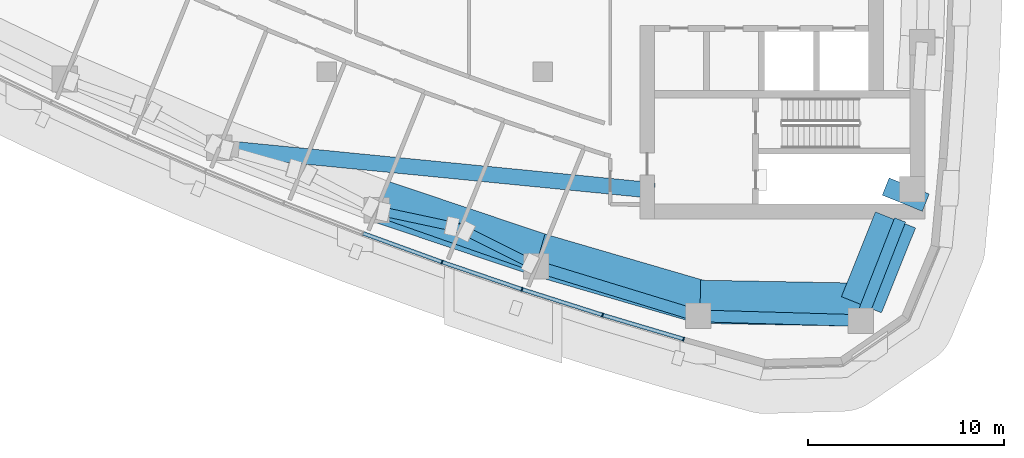
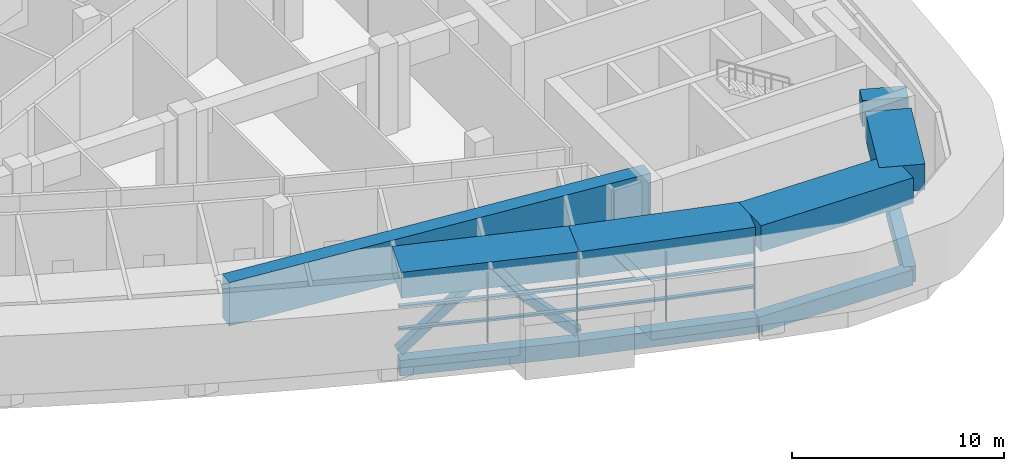
# One storey, part 4 of 17: 14 members, 10 beams, 2 elements without a shape of their own.
"""IFC4 building model written with IfcOpenShell, lengths in metres."""

from ifc_helpers import new_model, si_unit, direction, frame, origin, origin_2d, place, context, subcontext, project, spatial, rectangle, hollow_rectangle, extrude, material, layer, layer_set, material_profile, profile_set, type_object, element, aggregate, save


model = new_model("IFC4")

# Units and contexts
model_context = context("Model", 3, precision=1e-05, world=origin(), true_north=direction((0.0, 1.0)))
body_context = subcontext(model_context, "Body", "Model", "MODEL_VIEW")
ifc_project = project(units=[si_unit("LENGTHUNIT", "METRE"), si_unit("AREAUNIT", "SQUARE_METRE"), si_unit("VOLUMEUNIT", "CUBIC_METRE"), si_unit("PLANEANGLEUNIT", "RADIAN"), si_unit("MASSUNIT", "GRAM", prefix="KILO")], contexts=[model_context])

# Site, building, storey
site_placement = place(None, origin())
site = spatial("IfcSite", under=ifc_project, at=site_placement, CompositionType="ELEMENT")
building_placement = place(site_placement, origin())
building = spatial("IfcBuilding", under=site, at=building_placement, Name="Ostrand Prow Hotel Tower", CompositionType="ELEMENT")
storey_placement = place(building_placement, frame((0.0, 0.0, 211.0)))
storey = spatial("IfcBuildingStorey", under=building, at=storey_placement, Name="L53", CompositionType="ELEMENT", Elevation=211.0)

# Members
ifc_material_1 = material(Name="Steel S355", Category="steel")
ifc_material_profile_1 = material_profile(ifc_material_1, hollow_rectangle(XDim=0.45703125, YDim=0.45703125, WallThickness=0.025390625, at=origin_2d()), Name="HSS457x457x25.4")
ifc_profile_set_1 = profile_set([ifc_material_profile_1], Name="Steel S355")
member_type_1 = type_object("IfcMemberType", Name="Belt brace HSS457x457x25.4", PredefinedType="BRACE", material=ifc_profile_set_1)
member_1_placement = place(storey_placement, frame((36.547119140625, -16.060791015625, 0.0), z_axis=(0.737718452306, -0.157374237624, 0.656509584439), x_axis=(0.208631245637, 0.977994377972, 0.0)))
element("IfcMember", 1, at=member_1_placement, inside=storey, type_object=member_type_1, Name="Belt brace 05", PredefinedType="BRACE", context=body_context, shape_type="SweptSolid", body=[
    extrude(hollow_rectangle(XDim=0.45703125, YDim=0.45703125, WallThickness=0.025390625, at=origin_2d()), origin(), (0.0, 0.0, 1.0), 5.7119140625),
])
member_2_placement = place(storey_placement, frame((44.6826171875, -18.91552734375, 0.0), z_axis=(-0.679924440852, 0.339094483948, 0.650167428966), x_axis=(-0.446299704061, -0.894883553405, 0.0)))
element("IfcMember", 2, at=member_2_placement, inside=storey, type_object=member_type_1, Name="Belt brace 06", PredefinedType="BRACE", context=body_context, shape_type="SweptSolid", body=[
    extrude(hollow_rectangle(XDim=0.45703125, YDim=0.45703125, WallThickness=0.025390625, at=origin_2d()), origin(), (0.0, 0.0, 1.0), 5.767822265625),
])

# Beams
ifc_material_2 = material(Name="Concrete C60/75", Category="concrete")
ifc_material_profile_2 = material_profile(ifc_material_2, rectangle(XDim=2.199951171875, YDim=1.5, at=origin_2d()), Name="RC 2200x1500")
ifc_profile_set_2 = profile_set([ifc_material_profile_2], Name="Concrete C60/75")
beam_type_1 = type_object("IfcBeamType", Name="Belt girder 2200x1500 C60/75", PredefinedType="BEAM", material=ifc_profile_set_2)
for number, where, z_axis, x_axis, name in (
    (3, (36.707275390625, -15.59619140625, 4.14990234375), (0.947809184917, -0.318838123485, 0.0), (0.318838123485, 0.947809184917, 0.0), "Belt girder S4-S5"),
    (4, (44.814697265625, -18.323486328125, 4.14990234375), (0.959993926139, -0.280020823825, 0.0), (0.280020823825, 0.959993926139, 0.0), "Belt girder S5-S6"),
):
    element("IfcBeam", number, at=place(storey_placement, frame(where, z_axis=z_axis, x_axis=x_axis)), inside=storey, type_object=beam_type_1, Name=name, PredefinedType="BEAM", context=body_context, shape_type="SweptSolid", body=[
        extrude(rectangle(XDim=2.199951171875, YDim=1.5, at=origin_2d()), origin(), (0.0, 0.0, 1.0), 8.553955078125),
    ])
beam_1_placement = place(storey_placement, frame((53.0263671875, -20.71875, 4.14990234375), z_axis=(0.999829186978, -0.018482339346, 0.0), x_axis=(0.018482339346, 0.999829186978, 0.0)))
element("IfcBeam", 5, at=beam_1_placement, inside=storey, type_object=beam_type_1, Name="Belt girder S6-SE", PredefinedType="BEAM", context=body_context, shape_type="SweptSolid", body=[
    extrude(rectangle(XDim=2.199951171875, YDim=1.5, at=origin_2d()), origin(), (0.0, 0.0, 1.0), 8.21630859375),
])
beam_2_placement = place(storey_placement, frame((61.2412109375, -20.87060546875, 4.14990234375), z_axis=(0.372529597869, 0.928020311583, 0.0), x_axis=(-0.928020311583, 0.372529597869, 0.0)))
element("IfcBeam", 6, at=beam_2_placement, inside=storey, type_object=beam_type_1, Name="Belt girder SE-B1", PredefinedType="BEAM", context=body_context, shape_type="SweptSolid", body=[
    extrude(rectangle(XDim=2.199951171875, YDim=1.5, at=origin_2d()), origin(), (0.0, 0.0, 1.0), 4.65576171875),
])
beam_3_placement = place(storey_placement, frame((63.316650390625, -15.699951171875, 4.14990234375), z_axis=(0.372500019662, 0.928032184438, 0.0), x_axis=(-0.928032184438, 0.372500019662, 0.0)))
element("IfcBeam", 7, at=beam_3_placement, inside=storey, type_object=beam_type_1, Name="Belt girder SE-B1", PredefinedType="BEAM", context=body_context, shape_type="SweptSolid", body=[
    extrude(rectangle(XDim=2.199951171875, YDim=1.5, at=origin_2d()), origin(), (0.0, 0.0, 1.0), 0.948486328125),
])
ifc_material_3 = material(Name="Concrete C60/75", Category="concrete")
ifc_material_profile_3 = material_profile(ifc_material_3, rectangle(XDim=0.60009765625, YDim=0.89990234375, at=origin_2d()), Name="RC 600x900")
ifc_profile_set_3 = profile_set([ifc_material_profile_3], Name="Concrete C60/75")
beam_type_2 = type_object("IfcBeamType", Name="Edge beam 600x900 C60/75", PredefinedType="SPANDREL", material=ifc_profile_set_3)
for number, where, z_axis, x_axis, name in (
    (8, (36.547119140625, -16.060791015625, -0.85009765625), (0.943593618681, -0.33110584831, 0.0), (0.33110584831, 0.943593618681, 0.0), "Edge beam S4-S5"),
    (9, (44.6826171875, -18.91552734375, -0.85009765625), (0.956245556413, -0.292565267659, 0.0), (0.292565267659, 0.956245556413, 0.0), "Edge beam S5-S6"),
):
    element("IfcBeam", number, at=place(storey_placement, frame(where, z_axis=z_axis, x_axis=x_axis)), inside=storey, type_object=beam_type_2, Name=name, PredefinedType="SPANDREL", context=body_context, shape_type="SweptSolid", body=[
        extrude(rectangle(XDim=0.60009765625, YDim=0.89990234375, at=origin_2d()), origin(), (0.0, 0.0, 1.0), 8.621826171875),
    ])
beam_4_placement = place(storey_placement, frame((52.92724609375, -21.43798828125, -0.85009765625), z_axis=(0.999575901438, -0.029120735993, 0.0), x_axis=(0.029120735993, 0.999575901438, 0.0)))
element("IfcBeam", 10, at=beam_4_placement, inside=storey, type_object=beam_type_2, Name="Edge beam S6-SE", PredefinedType="SPANDREL", context=body_context, shape_type="SweptSolid", body=[
    extrude(rectangle(XDim=0.60009765625, YDim=0.89990234375, at=origin_2d()), origin(), (0.0, 0.0, 1.0), 8.274658203125),
])
beam_5_placement = place(storey_placement, frame((61.198486328125, -21.678955078125, -0.85009765625), z_axis=(0.364802049817, 0.931085100541, 0.0), x_axis=(-0.931085100541, 0.364802049817, 0.0)))
element("IfcBeam", 11, at=beam_5_placement, inside=storey, type_object=beam_type_2, Name="Edge beam SE-B1", PredefinedType="SPANDREL", context=body_context, shape_type="SweptSolid", body=[
    extrude(rectangle(XDim=0.60009765625, YDim=0.89990234375, at=origin_2d()), origin(), (0.0, 0.0, 1.0), 5.508544921875),
])

# Curtain wall, members
ifc_material_4 = material(Name="Insulated glass in bronze anodised frame", Category="glass")
ifc_layer = layer(ifc_material_4, 0.199951171875)
ifc_layer_set = layer_set([ifc_layer], Name="Insulated glass in bronze anodised frame")
curtain_wall_type = type_object("IfcCurtainWallType", Name="Plant storey louvre wall", PredefinedType="NOTDEFINED", material=ifc_layer_set)
curtain_wall_1_placement = place(storey_placement, origin())
curtain_wall_1 = element("IfcCurtainWall", 12, at=curtain_wall_1_placement, inside=storey, type_object=curtain_wall_type, Name="CW7 run CWS4", PredefinedType="NOTDEFINED")
ifc_material_5 = material(Name="Bronze anodised aluminium", Category="aluminium")
ifc_material_profile_4 = material_profile(ifc_material_5, rectangle(XDim=0.199951171875, YDim=0.06005859375, at=origin_2d()), Name="Mullion 60x200 bronze anodised aluminium")
ifc_profile_set_4 = profile_set([ifc_material_profile_4], Name="Bronze anodised aluminium")
member_type_2 = type_object("IfcMemberType", Name="Mullion 60x200 bronze anodised aluminium", PredefinedType="MULLION", material=ifc_profile_set_4)
member_3_placement = place(storey_placement, frame((39.87939453125, -18.696533203125, 0.89990234375), z_axis=(0.0, 0.0, 1.0), x_axis=(0.322908332404, 0.946430245113, 0.0)))
member_3 = element("IfcMember", 13, at=member_3_placement, type_object=member_type_2, Name="CW7 mullion 2", PredefinedType="MULLION", context=body_context, shape_type="SweptSolid", body=[
    extrude(rectangle(XDim=0.199951171875, YDim=0.06005859375, at=origin_2d()), origin(), (0.0, 0.0, 1.0), 4.0),
])
member_4_placement = place(storey_placement, frame((43.95361328125, -20.086669921875, 0.89990234375), z_axis=(0.0, 0.0, 1.0), x_axis=(0.322908332404, 0.946430245113, 0.0)))
member_4 = element("IfcMember", 14, at=member_4_placement, type_object=member_type_2, Name="CW7 mullion 3", PredefinedType="MULLION", context=body_context, shape_type="SweptSolid", body=[
    extrude(rectangle(XDim=0.199951171875, YDim=0.06005859375, at=origin_2d()), origin(), (0.0, 0.0, 1.0), 4.0),
])

curtain_wall_2_placement = place(storey_placement, origin())
curtain_wall_2 = element("IfcCurtainWall", 15, at=curtain_wall_2_placement, inside=storey, type_object=curtain_wall_type, Name="CW7 run CWS5", PredefinedType="NOTDEFINED")
member_5_placement = place(storey_placement, frame((48.055419921875, -21.39453125, 0.89990234375), z_axis=(0.0, 0.0, 1.0), x_axis=(0.284544113619, 0.958662947758, 0.0)))
member_5 = element("IfcMember", 16, at=member_5_placement, type_object=member_type_2, Name="CW7 mullion 2", PredefinedType="MULLION", context=body_context, shape_type="SweptSolid", body=[
    extrude(rectangle(XDim=0.199951171875, YDim=0.06005859375, at=origin_2d()), origin(), (0.0, 0.0, 1.0), 4.0),
])
member_6_placement = place(storey_placement, frame((52.182373046875, -22.619384765625, 0.89990234375), z_axis=(0.0, 0.0, 1.0), x_axis=(0.284544113619, 0.958662947758, 0.0)))
member_6 = element("IfcMember", 17, at=member_6_placement, type_object=member_type_2, Name="CW7 mullion 3", PredefinedType="MULLION", context=body_context, shape_type="SweptSolid", body=[
    extrude(rectangle(XDim=0.199951171875, YDim=0.06005859375, at=origin_2d()), origin(), (0.0, 0.0, 1.0), 4.0),
])

# Beam
ifc_material_6 = material(Name="Concrete C60/75", Category="concrete")
ifc_material_profile_5 = material_profile(ifc_material_6, rectangle(XDim=0.800048828125, YDim=2.5, at=origin_2d()), Name="RC 800x2500")
ifc_profile_set_5 = profile_set([ifc_material_profile_5], Name="Concrete C60/75")
beam_type_3 = type_object("IfcBeamType", Name="Outrigger lintel 800x2500 C60/75", PredefinedType="LINTEL", material=ifc_profile_set_5)
beam_6_placement = place(storey_placement, frame((50.697021484375, -15.05859375, 3.64990234375), z_axis=(-0.995195948853, 0.097903132672, 0.0), x_axis=(-0.097903132672, -0.995195948853, 0.0)))
element("IfcBeam", 18, at=beam_6_placement, inside=storey, type_object=beam_type_3, Name="Outrigger lintel DS1", PredefinedType="LINTEL", context=body_context, shape_type="SweptSolid", body=[
    extrude(rectangle(XDim=0.800048828125, YDim=2.5, at=origin_2d()), origin(), (0.0, 0.0, 1.0), 21.86962890625),
])

# Member
ifc_material_7 = material(Name="Bronze anodised aluminium", Category="aluminium")
ifc_material_profile_6 = material_profile(ifc_material_7, rectangle(XDim=0.199951171875, YDim=0.1201171875, at=origin_2d()), Name="Transom 120x200 bronze anodised aluminium")
ifc_profile_set_6 = profile_set([ifc_material_profile_6], Name="Bronze anodised aluminium")
member_type_3 = type_object("IfcMemberType", Name="Transom 120x200 bronze anodised aluminium", PredefinedType="USERDEFINED", material=ifc_profile_set_6)
member_7_placement = place(storey_placement, frame((35.86181640625, -17.235107421875, 2.199951171875), z_axis=(0.939753116272, -0.341853887584, 0.0), x_axis=(0.341853887584, 0.939753116272, 0.0)))
member_7 = element("IfcMember", 19, at=member_7_placement, type_object=member_type_3, Name="CW7 transom 1.1", ObjectType="TRANSOM", PredefinedType="USERDEFINED", context=body_context, shape_type="SweptSolid", body=[
    extrude(rectangle(XDim=0.199951171875, YDim=0.1201171875, at=origin_2d()), origin(), (0.0, 0.0, 1.0), 4.2451171875),
])

member_8_placement = place(storey_placement, frame((35.86181640625, -17.235107421875, 3.5), z_axis=(0.939753116272, -0.341853887584, 0.0), x_axis=(0.341853887584, 0.939753116272, 0.0)))
member_8 = element("IfcMember", 20, at=member_8_placement, type_object=member_type_3, Name="CW7 transom 1.2", ObjectType="TRANSOM", PredefinedType="USERDEFINED", context=body_context, shape_type="SweptSolid", body=[
    extrude(rectangle(XDim=0.199951171875, YDim=0.1201171875, at=origin_2d()), origin(), (0.0, 0.0, 1.0), 4.2451171875),
])

member_9_placement = place(storey_placement, frame((39.90771484375, -18.706298828125, 2.199951171875), z_axis=(0.946422327772, -0.322931536852, 0.0), x_axis=(0.322931536852, 0.946422327772, 0.0)))
member_9 = element("IfcMember", 21, at=member_9_placement, type_object=member_type_3, Name="CW7 transom 2.1", ObjectType="TRANSOM", PredefinedType="USERDEFINED", context=body_context, shape_type="SweptSolid", body=[
    extrude(rectangle(XDim=0.199951171875, YDim=0.1201171875, at=origin_2d()), origin(), (0.0, 0.0, 1.0), 4.2451171875),
])

member_10_placement = place(storey_placement, frame((39.90771484375, -18.706298828125, 3.5), z_axis=(0.946422327772, -0.322931536852, 0.0), x_axis=(0.322931536852, 0.946422327772, 0.0)))
member_10 = element("IfcMember", 22, at=member_10_placement, type_object=member_type_3, Name="CW7 transom 2.2", ObjectType="TRANSOM", PredefinedType="USERDEFINED", context=body_context, shape_type="SweptSolid", body=[
    extrude(rectangle(XDim=0.199951171875, YDim=0.1201171875, at=origin_2d()), origin(), (0.0, 0.0, 1.0), 4.2451171875),
])

aggregate(curtain_wall_1, [member_3, member_4, member_7, member_8, member_9, member_10])

member_11_placement = place(storey_placement, frame((43.982421875, -20.095947265625, 2.199951171875), z_axis=(0.952737512605, -0.303794720289, 0.0), x_axis=(0.303794720289, 0.952737512605, 0.0)))
member_11 = element("IfcMember", 23, at=member_11_placement, type_object=member_type_3, Name="CW7 transom 1.1", ObjectType="TRANSOM", PredefinedType="USERDEFINED", context=body_context, shape_type="SweptSolid", body=[
    extrude(rectangle(XDim=0.199951171875, YDim=0.1201171875, at=origin_2d()), origin(), (0.0, 0.0, 1.0), 4.244873046875),
])

member_12_placement = place(storey_placement, frame((43.982421875, -20.095947265625, 3.5), z_axis=(0.952737512605, -0.303794720289, 0.0), x_axis=(0.303794720289, 0.952737512605, 0.0)))
member_12 = element("IfcMember", 24, at=member_12_placement, type_object=member_type_3, Name="CW7 transom 1.2", ObjectType="TRANSOM", PredefinedType="USERDEFINED", context=body_context, shape_type="SweptSolid", body=[
    extrude(rectangle(XDim=0.199951171875, YDim=0.1201171875, at=origin_2d()), origin(), (0.0, 0.0, 1.0), 4.244873046875),
])

member_13_placement = place(storey_placement, frame((48.083984375, -21.403076171875, 2.199951171875), z_axis=(0.958661084062, -0.284550392558, 0.0), x_axis=(0.284550392558, 0.958661084062, 0.0)))
member_13 = element("IfcMember", 25, at=member_13_placement, type_object=member_type_3, Name="CW7 transom 2.1", ObjectType="TRANSOM", PredefinedType="USERDEFINED", context=body_context, shape_type="SweptSolid", body=[
    extrude(rectangle(XDim=0.199951171875, YDim=0.1201171875, at=origin_2d()), origin(), (0.0, 0.0, 1.0), 4.245361328125),
])

member_14_placement = place(storey_placement, frame((48.083984375, -21.403076171875, 3.5), z_axis=(0.958661084062, -0.284550392558, 0.0), x_axis=(0.284550392558, 0.958661084062, 0.0)))
member_14 = element("IfcMember", 26, at=member_14_placement, type_object=member_type_3, Name="CW7 transom 2.2", ObjectType="TRANSOM", PredefinedType="USERDEFINED", context=body_context, shape_type="SweptSolid", body=[
    extrude(rectangle(XDim=0.199951171875, YDim=0.1201171875, at=origin_2d()), origin(), (0.0, 0.0, 1.0), 4.245361328125),
])

aggregate(curtain_wall_2, [member_5, member_6, member_11, member_12, member_13, member_14])

save(model, "model.ifc")
